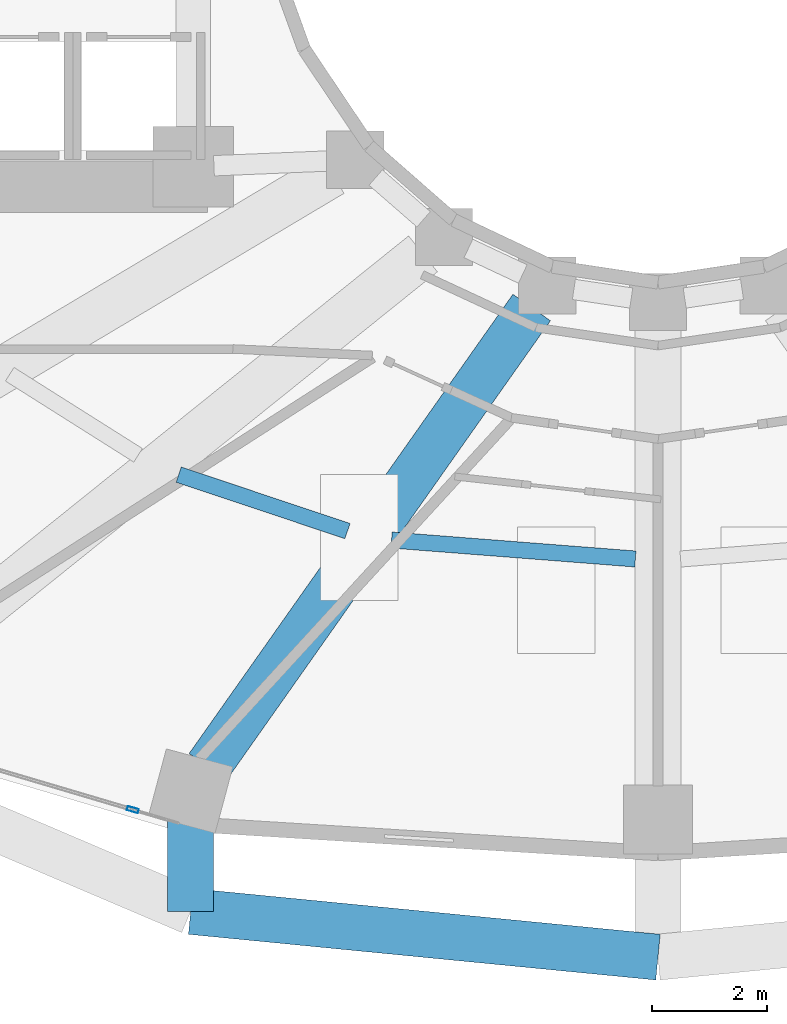
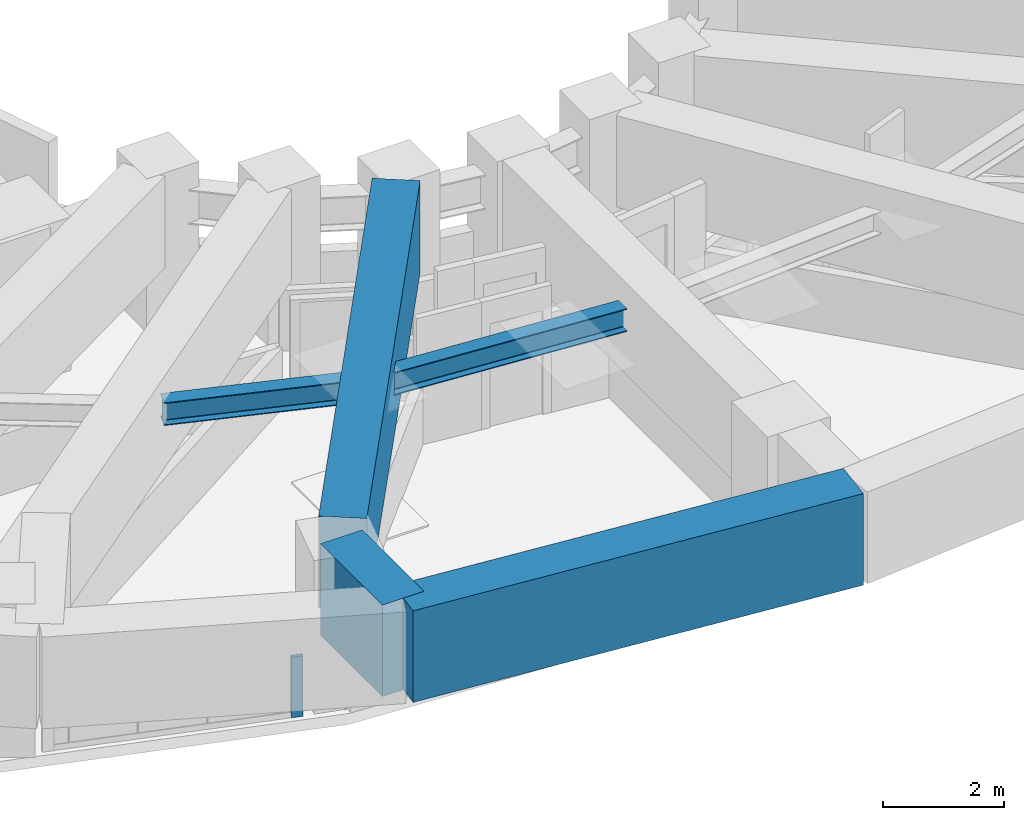
# One storey, part 3 of 17: 5 beams, 1 member, 1 element without a shape of its own.
"""IFC4 building model written with IfcOpenShell, lengths in metres."""

from ifc_helpers import new_model, si_unit, direction, frame, origin, origin_2d, place, context, subcontext, project, spatial, rectangle, hollow_rectangle, i_section, extrude, material, layer, layer_set, material_profile, profile_set, type_object, element, aggregate, save


model = new_model("IFC4")

# Units and contexts
model_context = context("Model", 3, precision=1e-05, world=origin(), true_north=direction((0.0, 1.0)))
body_context = subcontext(model_context, "Body", "Model", "MODEL_VIEW")
ifc_project = project(units=[si_unit("LENGTHUNIT", "METRE"), si_unit("AREAUNIT", "SQUARE_METRE"), si_unit("VOLUMEUNIT", "CUBIC_METRE"), si_unit("PLANEANGLEUNIT", "RADIAN"), si_unit("MASSUNIT", "GRAM", prefix="KILO")], contexts=[model_context])

# Site, building, storey
site_placement = place(None, origin())
site = spatial("IfcSite", under=ifc_project, at=site_placement, CompositionType="ELEMENT")
building_placement = place(site_placement, origin())
building = spatial("IfcBuilding", under=site, at=building_placement, Name="Solvane Sanctuary Tower", CompositionType="ELEMENT")
storey_placement = place(building_placement, frame((0.0, 0.0, 52.39990234375)))
storey = spatial("IfcBuildingStorey", under=building, at=storey_placement, Name="L15", CompositionType="ELEMENT", Elevation=52.39990234375)

# Beams
ifc_material_1 = material(Name="Steel ASTM A992 Grade 50", Category="steel")
ifc_material_profile_1 = material_profile(ifc_material_1, i_section(OverallWidth=0.280029296875, OverallDepth=0.462890625, WebThickness=0.0107421875, FlangeThickness=0.017333984375, FilletRadius=0.013916015625, at=origin_2d()), Name="W18X76")
ifc_profile_set_1 = profile_set([ifc_material_profile_1], Name="Steel ASTM A992 Grade 50")
beam_type_1 = type_object("IfcBeamType", Name="Beam B-SEC-JOIST W18X76", PredefinedType="JOIST", material=ifc_profile_set_1)
beam_1_placement = place(storey_placement, frame((23.64599609375, 11.531494140625, 2.36669921875), z_axis=(0.948289049928, -0.317408061944, 0.0), x_axis=(0.317408061944, 0.948289049928, 0.0)))
element("IfcBeam", 1, at=beam_1_placement, inside=storey, type_object=beam_type_1, Name="L15 Secondary Circumferential Joist 09-10", PredefinedType="JOIST", context=body_context, shape_type="SweptSolid", body=[
    extrude(i_section(OverallWidth=0.280029296875, OverallDepth=0.462890625, WebThickness=0.0107421875, FlangeThickness=0.017333984375, FilletRadius=0.013916015625, at=origin_2d()), origin(), (0.0, 0.0, 1.0), 3.10205078125),
])
beam_2_placement = place(storey_placement, frame((27.35595703125, 10.390869140625, 2.36669921875), z_axis=(0.99699353627, -0.077484763891, 0.0), x_axis=(0.077484763891, 0.99699353627, 0.0)))
element("IfcBeam", 2, at=beam_2_placement, inside=storey, type_object=beam_type_1, Name="L15 Secondary Circumferential Joist 10-11", PredefinedType="JOIST", context=body_context, shape_type="SweptSolid", body=[
    extrude(i_section(OverallWidth=0.280029296875, OverallDepth=0.462890625, WebThickness=0.0107421875, FlangeThickness=0.017333984375, FilletRadius=0.013916015625, at=origin_2d()), origin(), (0.0, 0.0, 1.0), 4.262939453125),
])
ifc_material_2 = material(Name="Concrete C70/85", Category="concrete")
ifc_material_profile_2 = material_profile(ifc_material_2, rectangle(XDim=0.800048828125, YDim=1.85009765625, at=origin_2d()), Name="RC800X1850")
ifc_profile_set_2 = profile_set([ifc_material_profile_2], Name="Concrete C70/85")
beam_type_2 = type_object("IfcBeamType", Name="Beam B-XFER-BLK RC800X1850", PredefinedType="BEAM", material=ifc_profile_set_2)
beam_3_placement = place(storey_placement, frame((29.79833984375, 14.444091796875, 2.175048828125), z_axis=(-0.576221171819, -0.817293803444, 0.0), x_axis=(0.817293803444, -0.576221171819, 0.0)))
element("IfcBeam", 3, at=beam_3_placement, inside=storey, type_object=beam_type_2, Name="L15 Block-Shift Radial Transfer Girder 10A", PredefinedType="BEAM", context=body_context, shape_type="SweptSolid", body=[
    extrude(rectangle(XDim=0.800048828125, YDim=1.85009765625, at=origin_2d()), origin(), (0.0, 0.0, 1.0), 9.794189453125),
])
beam_4_placement = place(storey_placement, frame((23.85498046875, 5.964599609375, 2.175048828125), z_axis=(0.0, -1.0, 0.0), x_axis=(1.0, 0.0, 0.0)))
element("IfcBeam", 4, at=beam_4_placement, inside=storey, type_object=beam_type_2, Name="L15 Block-Shift Transfer Tie 10B", PredefinedType="BEAM", context=body_context, shape_type="SweptSolid", body=[
    extrude(rectangle(XDim=0.800048828125, YDim=1.85009765625, at=origin_2d()), origin(), (0.0, 0.0, 1.0), 2.04833984375),
])
beam_5_placement = place(storey_placement, frame((23.85498046875, 3.916259765625, 2.175048828125), z_axis=(0.995256826983, -0.097282312595, 0.0), x_axis=(0.097282312595, 0.995256826983, 0.0)))
element("IfcBeam", 5, at=beam_5_placement, inside=storey, type_object=beam_type_2, Name="L15 Perimeter Step Transfer Ring NTC10-NTC11", PredefinedType="BEAM", context=body_context, shape_type="SweptSolid", body=[
    extrude(rectangle(XDim=0.800048828125, YDim=1.85009765625, at=origin_2d()), origin(), (0.0, 0.0, 1.0), 8.183837890625),
])

# Curtain wall, member
ifc_material_3 = material(Name="Anodised Aluminium 6063-T6", Category="aluminium")
ifc_layer = layer(ifc_material_3, 0.169921875, Name="Anodised Aluminium 6063-T6")
ifc_layer_set = layer_set([ifc_layer], Name="Anodised Aluminium 6063-T6")
curtain_wall_type = type_object("IfcCurtainWallType", Name="Curtain Wall CW-FRIT-Z1", PredefinedType="NOTDEFINED", material=ifc_layer_set)
curtain_wall_placement = place(storey_placement, origin())
curtain_wall = element("IfcCurtainWall", 6, at=curtain_wall_placement, inside=storey, type_object=curtain_wall_type, Name="L15 CW-FRIT-Z1 Facade Run 16", PredefinedType="NOTDEFINED")
ifc_material_profile_3 = material_profile(ifc_material_3, hollow_rectangle(XDim=0.074951171875, YDim=0.199951171875, WallThickness=0.00390625, at=origin_2d()), Name="ALU200X75X4")
ifc_profile_set_3 = profile_set([ifc_material_profile_3], Name="Anodised Aluminium 6063-T6")
member_type = type_object("IfcMemberType", Name="Member M-CW-MUL-1 ALU200X75X4", PredefinedType="MULLION", material=ifc_profile_set_3)
member_placement = place(storey_placement, frame((22.845947265625, 5.6904296875, 0.0), z_axis=(0.0, 0.0, 1.0), x_axis=(0.283936052018, 0.958843218866, 0.0)))
member = element("IfcMember", 7, at=member_placement, type_object=member_type, Name="CW-FRIT-Z1 mullion 2", PredefinedType="MULLION", context=body_context, shape_type="SweptSolid", body=[
    extrude(hollow_rectangle(XDim=0.074951171875, YDim=0.199951171875, WallThickness=0.00390625, at=origin_2d()), origin(), (0.0, 0.0, 1.0), 1.22021484375),
])
aggregate(curtain_wall, [member])

save(model, "model.ifc")
